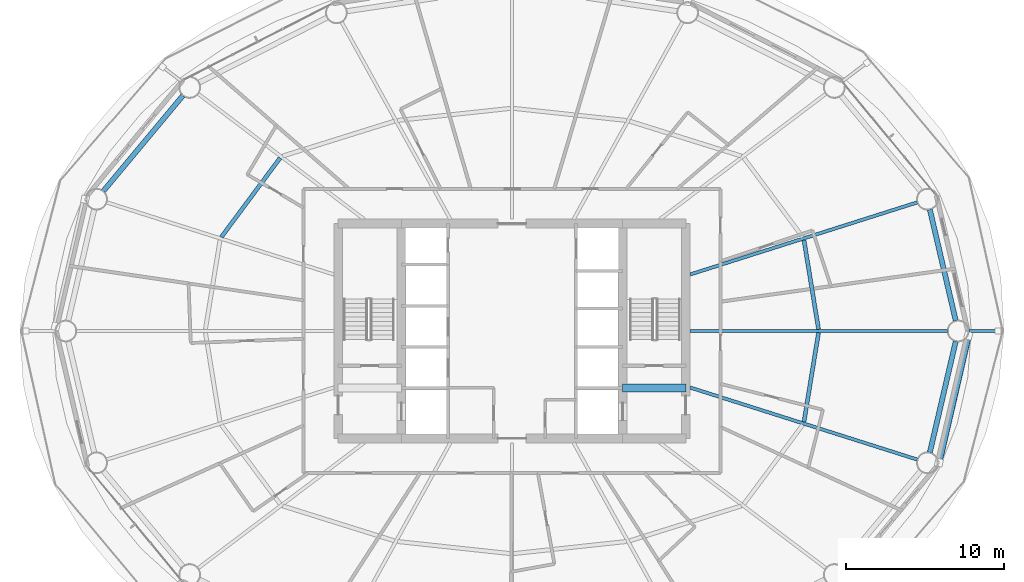
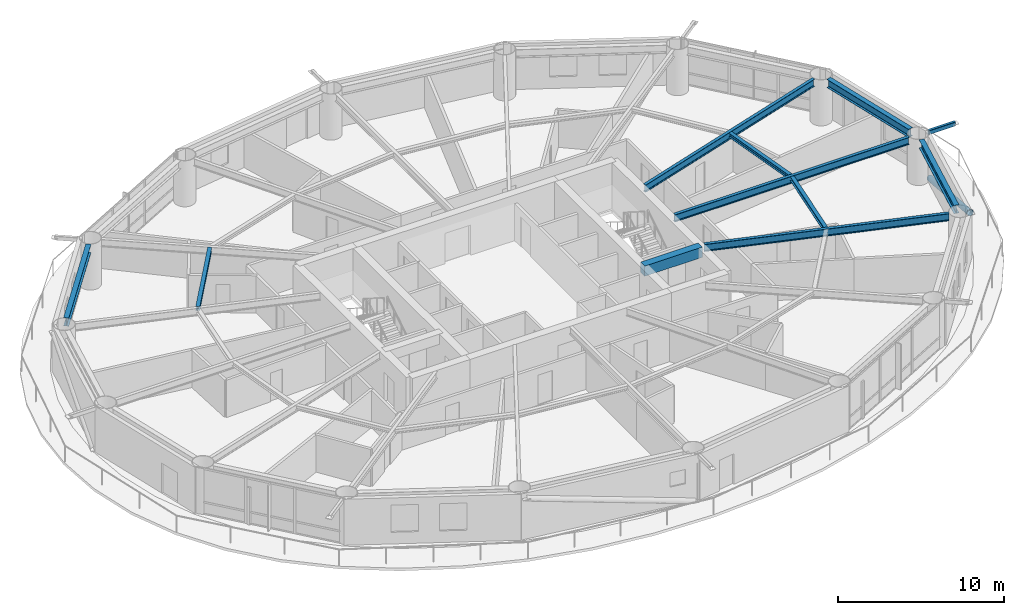
# One storey, part 7 of 24: 10 beams, 2 members.
"""IFC4 building model written with IfcOpenShell, lengths in metres."""

from ifc_helpers import new_model, si_unit, direction, frame, origin, origin_2d, place, context, subcontext, project, spatial, rectangle, hollow_rectangle, hollow_circle, i_section, extrude, material, material_profile, profile_set, type_object, element, save


model = new_model("IFC4")

# Units and contexts
model_context = context("Model", 3, precision=1e-05, world=origin(), true_north=direction((0.0, 1.0)))
body_context = subcontext(model_context, "Body", "Model", "MODEL_VIEW")
ifc_project = project(units=[si_unit("LENGTHUNIT", "METRE"), si_unit("AREAUNIT", "SQUARE_METRE"), si_unit("VOLUMEUNIT", "CUBIC_METRE"), si_unit("PLANEANGLEUNIT", "RADIAN"), si_unit("MASSUNIT", "GRAM", prefix="KILO")], contexts=[model_context])

# Site, building, storey
site_placement = place(None, origin())
site = spatial("IfcSite", under=ifc_project, at=site_placement, CompositionType="ELEMENT")
building_placement = place(site_placement, origin())
building = spatial("IfcBuilding", under=site, at=building_placement, Name="Sarneth Arch Tower", CompositionType="ELEMENT")
storey_placement = place(building_placement, frame((0.0, 0.0, 123.60009765625)))
storey = spatial("IfcBuildingStorey", under=building, at=storey_placement, Name="L31", CompositionType="ELEMENT", Elevation=123.60009765625)

# Beams
ifc_material_1 = material(Name="Steel S355", Category="steel")
ifc_material_profile_1 = material_profile(ifc_material_1, i_section(OverallWidth=0.25390625, OverallDepth=0.305908203125, WebThickness=0.0087890625, FlangeThickness=0.0146484375, FilletRadius=0.014892578125, at=origin_2d()), Name="W310x79")
ifc_profile_set_1 = profile_set([ifc_material_profile_1], Name="Steel S355")
beam_type_1 = type_object("IfcBeamType", Name="BM-JOIST-310A", PredefinedType="JOIST", material=ifc_profile_set_1)
beam_1_placement = place(storey_placement, frame((67.4013671875, 42.10400390625, 3.226806640625), z_axis=(-0.16120310833, 0.986921252109, 0.0), x_axis=(-0.986921252109, -0.16120310833, 0.0)))
element("IfcBeam", 1, at=beam_1_placement, inside=storey, type_object=beam_type_1, Name="L31 Secondary floor joist 01", PredefinedType="JOIST", context=body_context, shape_type="SweptSolid", body=[
    extrude(i_section(OverallWidth=0.25390625, OverallDepth=0.305908203125, WebThickness=0.0087890625, FlangeThickness=0.0146484375, FilletRadius=0.014892578125, at=origin_2d()), origin(), (0.0, 0.0, 1.0), 5.724853515625),
])
beam_2_placement = place(storey_placement, frame((33.32666015625, 52.956787109375, 3.226806640625), z_axis=(-0.596354224217, -0.80272139579, 0.0), x_axis=(0.80272139579, -0.596354224217, 0.0)))
element("IfcBeam", 2, at=beam_2_placement, inside=storey, type_object=beam_type_1, Name="L31 Secondary floor joist 07", PredefinedType="JOIST", context=body_context, shape_type="SweptSolid", body=[
    extrude(i_section(OverallWidth=0.25390625, OverallDepth=0.305908203125, WebThickness=0.0087890625, FlangeThickness=0.0146484375, FilletRadius=0.014892578125, at=origin_2d()), origin(), (0.0, 0.0, 1.0), 6.246337890625),
])
beam_3_placement = place(storey_placement, frame((66.478515625, 36.24609375, 3.226806640625), z_axis=(0.16120310833, 0.986921252109, 0.0), x_axis=(-0.986921252109, 0.16120310833, 0.0)))
element("IfcBeam", 3, at=beam_3_placement, inside=storey, type_object=beam_type_1, Name="L31 Secondary floor joist 16", PredefinedType="JOIST", context=body_context, shape_type="SweptSolid", body=[
    extrude(i_section(OverallWidth=0.25390625, OverallDepth=0.305908203125, WebThickness=0.0087890625, FlangeThickness=0.0146484375, FilletRadius=0.014892578125, at=origin_2d()), origin(), (0.0, 0.0, 1.0), 5.724853515625),
])
ifc_material_2 = material(Name="Concrete C50/60", Category="concrete")
ifc_material_profile_2 = material_profile(ifc_material_2, rectangle(XDim=0.5, YDim=0.75, at=origin_2d()), Name="RC-500x750")
ifc_profile_set_2 = profile_set([ifc_material_profile_2], Name="Concrete C50/60")
beam_type_2 = type_object("IfcBeamType", Name="BM-LINTEL-RC", PredefinedType="LINTEL", material=ifc_profile_set_2)
beam_4_placement = place(storey_placement, frame((55.0, 38.39990234375, 3.0048828125), z_axis=(1.0, 0.0, 0.0), x_axis=(0.0, 1.0, 0.0)))
element("IfcBeam", 4, at=beam_4_placement, inside=storey, type_object=beam_type_2, Name="L31 Core coupling lintel E", PredefinedType="LINTEL", context=body_context, shape_type="SweptSolid", body=[
    extrude(rectangle(XDim=0.5, YDim=0.75, at=origin_2d()), origin(), (0.0, 0.0, 1.0), 4.0),
])
ifc_material_3 = material(Name="Steel S355", Category="steel")
ifc_material_profile_3 = material_profile(ifc_material_3, i_section(OverallWidth=0.2109375, OverallDepth=0.5390625, WebThickness=0.01171875, FlangeThickness=0.018798828125, FilletRadius=0.01806640625, at=origin_2d()), Name="W530x109")
ifc_profile_set_3 = profile_set([ifc_material_profile_3], Name="Steel S355")
beam_type_3 = type_object("IfcBeamType", Name="BM-RAD-530B", PredefinedType="BEAM", material=ifc_profile_set_3)
beam_5_placement = place(storey_placement, frame((59.27490234375, 42.0, 3.1103515625), z_axis=(1.0, 0.0, 0.0), x_axis=(0.0, 1.0, 0.0)))
element("IfcBeam", 5, at=beam_5_placement, inside=storey, type_object=beam_type_3, Name="L31 Radial floor girder 01", PredefinedType="BEAM", context=body_context, shape_type="SweptSolid", body=[
    extrude(i_section(OverallWidth=0.2109375, OverallDepth=0.5390625, WebThickness=0.01171875, FlangeThickness=0.018798828125, FilletRadius=0.01806640625, at=origin_2d()), origin(), (0.0, 0.0, 1.0), 16.28662109375),
])
for number, where, z_axis, x_axis, name in (
    (6, (59.27490234375, 45.57763671875, 3.1103515625), (0.95316257761, 0.302458427958, 0.0), (-0.302458427958, 0.95316257761, 0.0), "L31 Radial floor girder 02"),
    (7, (59.27490234375, 38.42236328125, 3.1103515625), (0.95316257761, -0.302458427958, 0.0), (0.302458427958, 0.95316257761, 0.0), "L31 Radial floor girder 16"),
):
    element("IfcBeam", number, at=place(storey_placement, frame(where, z_axis=z_axis, x_axis=x_axis)), inside=storey, type_object=beam_type_3, Name=name, PredefinedType="BEAM", context=body_context, shape_type="SweptSolid", body=[
        extrude(i_section(OverallWidth=0.2109375, OverallDepth=0.5390625, WebThickness=0.01171875, FlangeThickness=0.018798828125, FilletRadius=0.01806640625, at=origin_2d()), origin(), (0.0, 0.0, 1.0), 15.0791015625),
    ])
ifc_material_4 = material(Name="Steel S355", Category="steel")
ifc_material_profile_4 = material_profile(ifc_material_4, i_section(OverallWidth=0.323974609375, OverallDepth=0.611083984375, WebThickness=0.0126953125, FlangeThickness=0.01904296875, FilletRadius=0.01904296875, at=origin_2d()), Name="W610x155")
ifc_profile_set_4 = profile_set([ifc_material_profile_4], Name="Steel S355")
beam_type_4 = type_object("IfcBeamType", Name="BM-SPAN-610B", PredefinedType="SPANDREL", material=ifc_profile_set_4)
beam_6_placement = place(storey_placement, frame((76.083251953125, 42.657470703125, 3.074462890625), z_axis=(-0.22708522689, 0.973874889156, 0.0), x_axis=(-0.973874889156, -0.22708522689, 0.0)))
element("IfcBeam", 8, at=beam_6_placement, inside=storey, type_object=beam_type_4, Name="L31 Perimeter spandrel beam 01", PredefinedType="SPANDREL", context=body_context, shape_type="SweptSolid", body=[
    extrude(i_section(OverallWidth=0.323974609375, OverallDepth=0.611083984375, WebThickness=0.0126953125, FlangeThickness=0.01904296875, FilletRadius=0.01904296875, at=origin_2d()), origin(), (0.0, 0.0, 1.0), 7.216064453125),
])
beam_7_placement = place(storey_placement, frame((27.170166015625, 56.896484375, 3.074462890625), z_axis=(-0.640169116175, -0.768234015581, 0.0), x_axis=(0.768234015581, -0.640169116175, 0.0)))
element("IfcBeam", 9, at=beam_7_placement, inside=storey, type_object=beam_type_4, Name="L31 Perimeter spandrel beam 07", PredefinedType="SPANDREL", context=body_context, shape_type="SweptSolid", body=[
    extrude(i_section(OverallWidth=0.323974609375, OverallDepth=0.611083984375, WebThickness=0.0126953125, FlangeThickness=0.01904296875, FilletRadius=0.01904296875, at=origin_2d()), origin(), (0.0, 0.0, 1.0), 7.856201171875),
])
beam_8_placement = place(storey_placement, frame((74.444580078125, 34.31494140625, 3.074462890625), z_axis=(0.22708522689, 0.973874889156, 0.0), x_axis=(-0.973874889156, 0.22708522689, 0.0)))
element("IfcBeam", 10, at=beam_8_placement, inside=storey, type_object=beam_type_4, Name="L31 Perimeter spandrel beam 16", PredefinedType="SPANDREL", context=body_context, shape_type="SweptSolid", body=[
    extrude(i_section(OverallWidth=0.323974609375, OverallDepth=0.611083984375, WebThickness=0.0126953125, FlangeThickness=0.01904296875, FilletRadius=0.01904296875, at=origin_2d()), origin(), (0.0, 0.0, 1.0), 7.216064453125),
])

# Members
ifc_material_5 = material(Name="Steel S355", Category="steel")
ifc_material_profile_5 = material_profile(ifc_material_5, hollow_rectangle(XDim=0.199951171875, YDim=0.300048828125, WallThickness=0.012451171875, InnerFilletRadius=0.018798828125, OuterFilletRadius=0.03125, at=origin_2d()), Name="RHS300x200x12.5")
ifc_profile_set_5 = profile_set([ifc_material_profile_5], Name="Steel S355")
member_type_1 = type_object("IfcMemberType", Name="MEM-CANT-STRUT", PredefinedType="STRUT", material=ifc_profile_set_5)
member_1_placement = place(storey_placement, frame((76.91162109375, 42.0, 3.219970703125), z_axis=(1.0, 0.0, 0.0), x_axis=(0.0, 1.0, 0.0)))
element("IfcMember", 11, at=member_1_placement, inside=storey, type_object=member_type_1, Name="L31 Balcony cantilever bracket 01", PredefinedType="STRUT", context=body_context, shape_type="SweptSolid", body=[
    extrude(hollow_rectangle(XDim=0.199951171875, YDim=0.300048828125, WallThickness=0.012451171875, InnerFilletRadius=0.018798828125, OuterFilletRadius=0.03125, at=origin_2d()), origin(), (0.0, 0.0, 1.0), 1.861572265625),
])
ifc_material_6 = material(Name="Steel S355", Category="steel")
ifc_material_profile_6 = material_profile(ifc_material_6, hollow_circle(Radius=0.202880859375, WallThickness=0.01611328125, at=origin_2d()), Name="CHS406x16")
ifc_profile_set_6 = profile_set([ifc_material_profile_6], Name="Steel S355")
member_type_2 = type_object("IfcMemberType", Name="MEM-DIAG-BR2", PredefinedType="BRACE", material=ifc_profile_set_6)
member_2_placement = place(storey_placement, frame((76.878662109375, 41.707763671875, 0.02001953125), z_axis=(-0.211847747194, -0.915855506945, 0.341070700013), x_axis=(0.974275349464, -0.225360918143, 0.0)))
element("IfcMember", 12, at=member_2_placement, inside=storey, type_object=member_type_2, Name="L31 Perimeter frame diagonal 16", PredefinedType="BRACE", context=body_context, shape_type="SweptSolid", body=[
    extrude(hollow_circle(Radius=0.202880859375, WallThickness=0.01611328125, at=origin_2d()), origin(), (0.0, 0.0, 1.0), 8.77587890625),
])

save(model, "model.ifc")
